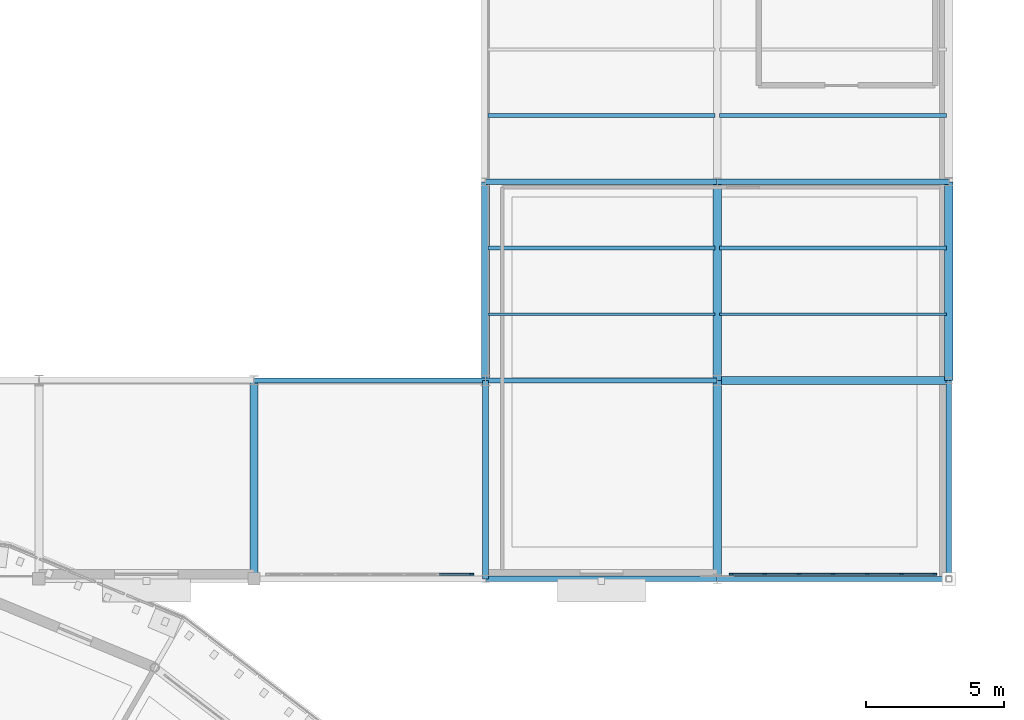
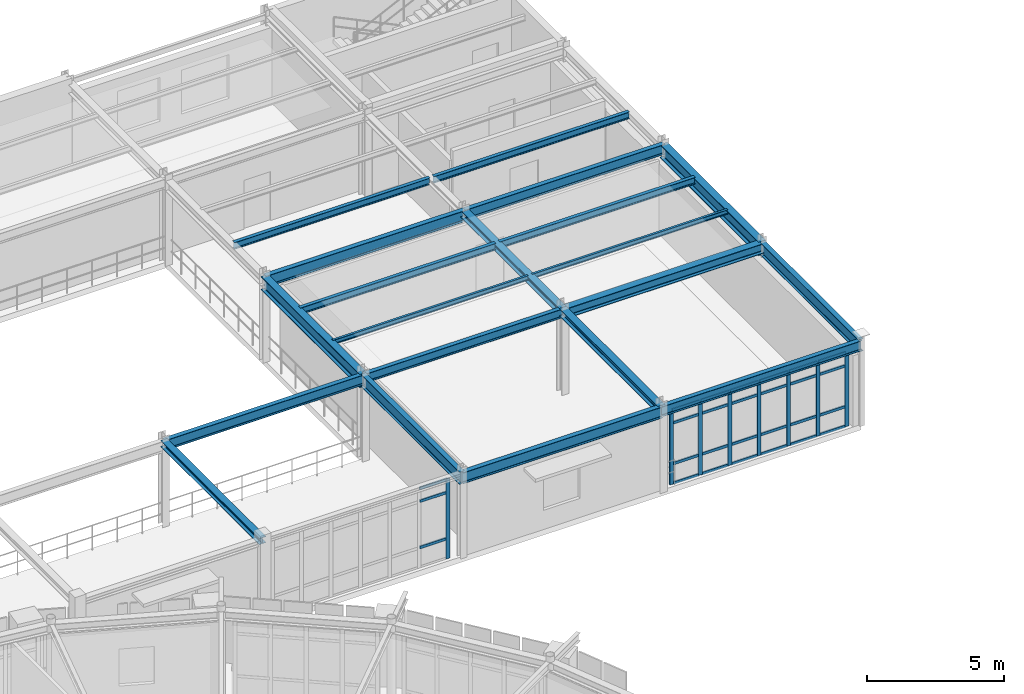
# One storey, part 38 of 70: 35 members, 20 beams, 2 elements without a shape of their own.
"""IFC4 building model written with IfcOpenShell, lengths in metres."""

from ifc_helpers import new_model, si_unit, derived_unit, direction, frame, origin, origin_2d, place, context, subcontext, project, spatial, rectangle, i_section, extrude, material, layer, layer_set, material_profile, profile_set, type_object, element, aggregate, save


model = new_model("IFC4")

# Units and contexts
model_context = context("Model", 3, precision=1e-05, world=origin(), true_north=direction((0.0, 1.0)))
body_context = subcontext(model_context, "Body", "Model", "MODEL_VIEW")
ifc_project = project(units=[si_unit("LENGTHUNIT", "METRE"), si_unit("AREAUNIT", "SQUARE_METRE"), si_unit("VOLUMEUNIT", "CUBIC_METRE"), si_unit("PLANEANGLEUNIT", "RADIAN"), si_unit("MASSUNIT", "GRAM", prefix="KILO"), derived_unit("THERMALTRANSMITTANCEUNIT", [(si_unit("POWERUNIT", "WATT"), 1), (si_unit("AREAUNIT", "SQUARE_METRE"), -1), (si_unit("THERMODYNAMICTEMPERATUREUNIT", "KELVIN"), -1)])], contexts=[model_context])

# Site, building, storey
site_placement = place(None, origin())
site = spatial("IfcSite", under=ifc_project, at=site_placement, CompositionType="ELEMENT")
building_placement = place(site_placement, origin())
building = spatial("IfcBuilding", under=site, at=building_placement, Name="Yasenodar Specialist Clinic", CompositionType="ELEMENT")
storey_placement = place(building_placement, frame((0.0, 0.0, 13.199951171875)))
storey = spatial("IfcBuildingStorey", under=building, at=storey_placement, Name="L03", CompositionType="ELEMENT", Elevation=13.199951171875)

# Beams
ifc_material_1 = material(Name="Steel S355", Category="steel")
ifc_material_profile_1 = material_profile(ifc_material_1, i_section(OverallWidth=0.300048828125, OverallDepth=0.43994140625, WebThickness=0.011474609375, FlangeThickness=0.02099609375, FilletRadius=0.027099609375, at=origin_2d()), Name="HEA 450")
ifc_profile_set_1 = profile_set([ifc_material_profile_1], Name="Steel S355")
beam_type_1 = type_object("IfcBeamType", Name="BM-HEA450", PredefinedType="BEAM", material=ifc_profile_set_1)
beam_1_placement = place(storey_placement, frame((113.39990234375, 90.0, 3.570068359375), z_axis=(1.0, 0.0, 0.0), x_axis=(0.0, 1.0, 0.0)))
element("IfcBeam", 1, at=beam_1_placement, inside=storey, type_object=beam_type_1, Name="L03 Primary E-W Girder", PredefinedType="BEAM", context=body_context, shape_type="SweptSolid", body=[
    extrude(i_section(OverallWidth=0.300048828125, OverallDepth=0.43994140625, WebThickness=0.011474609375, FlangeThickness=0.02099609375, FilletRadius=0.027099609375, at=origin_2d()), origin(), (0.0, 0.0, 1.0), 8.400146484375),
])
ifc_material_profile_2 = material_profile(ifc_material_1, i_section(OverallWidth=0.280029296875, OverallDepth=0.280029296875, WebThickness=0.010498046875, FlangeThickness=0.01806640625, FilletRadius=0.02392578125, at=origin_2d()), Name="HEB 280")
ifc_profile_set_2 = profile_set([ifc_material_profile_2], Name="Steel S355")
beam_type_2 = type_object("IfcBeamType", Name="BM-HEB280", PredefinedType="BEAM", material=ifc_profile_set_2)
beam_2_placement = place(storey_placement, frame((96.60009765625, 82.800048828125, 3.650146484375), z_axis=(0.0, 1.0, 0.0), x_axis=(-1.0, 0.0, 0.0)))
element("IfcBeam", 2, at=beam_2_placement, inside=storey, type_object=beam_type_2, Name="L03 Primary N-S Girder", PredefinedType="BEAM", context=body_context, shape_type="SweptSolid", body=[
    extrude(i_section(OverallWidth=0.280029296875, OverallDepth=0.280029296875, WebThickness=0.010498046875, FlangeThickness=0.01806640625, FilletRadius=0.02392578125, at=origin_2d()), origin(), (0.0, 0.0, 1.0), 7.199951171875),
])
ifc_material_profile_3 = material_profile(ifc_material_1, i_section(OverallWidth=0.300048828125, OverallDepth=0.300048828125, WebThickness=0.010986328125, FlangeThickness=0.01904296875, FilletRadius=0.027099609375, at=origin_2d()), Name="HEB 300")
ifc_profile_set_3 = profile_set([ifc_material_profile_3], Name="Steel S355")
beam_type_3 = type_object("IfcBeamType", Name="BM-HEB300", PredefinedType="BEAM", material=ifc_profile_set_3)
beam_3_placement = place(storey_placement, frame((113.39990234375, 90.0, 3.64013671875), z_axis=(0.0, 1.0, 0.0), x_axis=(-1.0, 0.0, 0.0)))
element("IfcBeam", 3, at=beam_3_placement, inside=storey, type_object=beam_type_3, Name="L03 Primary N-S Girder", PredefinedType="BEAM", context=body_context, shape_type="SweptSolid", body=[
    extrude(i_section(OverallWidth=0.300048828125, OverallDepth=0.300048828125, WebThickness=0.010986328125, FlangeThickness=0.01904296875, FilletRadius=0.027099609375, at=origin_2d()), origin(), (0.0, 0.0, 1.0), 7.199951171875),
])
ifc_material_profile_4 = material_profile(ifc_material_1, i_section(OverallWidth=0.300048828125, OverallDepth=0.340087890625, WebThickness=0.011962890625, FlangeThickness=0.021484375, FilletRadius=0.027099609375, at=origin_2d()), Name="HEB 340")
ifc_profile_set_4 = profile_set([ifc_material_profile_4], Name="Steel S355")
beam_type_4 = type_object("IfcBeamType", Name="BM-HEB340", PredefinedType="BEAM", material=ifc_profile_set_4)
beam_4_placement = place(storey_placement, frame((113.39990234375, 82.800048828125, 3.6201171875), z_axis=(0.0, 1.0, 0.0), x_axis=(-1.0, 0.0, 0.0)))
element("IfcBeam", 4, at=beam_4_placement, inside=storey, type_object=beam_type_4, Name="L03 Primary N-S Girder", PredefinedType="BEAM", context=body_context, shape_type="SweptSolid", body=[
    extrude(i_section(OverallWidth=0.300048828125, OverallDepth=0.340087890625, WebThickness=0.011962890625, FlangeThickness=0.021484375, FilletRadius=0.027099609375, at=origin_2d()), origin(), (0.0, 0.0, 1.0), 7.199951171875),
])
ifc_material_profile_5 = material_profile(ifc_material_1, i_section(OverallWidth=0.300048828125, OverallDepth=0.60009765625, WebThickness=0.015380859375, FlangeThickness=0.030029296875, FilletRadius=0.027099609375, at=origin_2d()), Name="HEB 600")
ifc_profile_set_5 = profile_set([ifc_material_profile_5], Name="Steel S355")
beam_type_5 = type_object("IfcBeamType", Name="BM-HEB600", PredefinedType="BEAM", material=ifc_profile_set_5)
for number, where, z_axis, x_axis, name in (
    (5, (105.0, 90.0, 3.489990234375), (0.0, 1.0, 0.0), (-1.0, 0.0, 0.0), "L03 Primary N-S Girder"),
    (6, (121.800048828125, 90.0, 3.489990234375), (0.0, 1.0, 0.0), (-1.0, 0.0, 0.0), "L03 Primary N-S Girder"),
):
    element("IfcBeam", number, at=place(storey_placement, frame(where, z_axis=z_axis, x_axis=x_axis)), inside=storey, type_object=beam_type_5, Name=name, PredefinedType="BEAM", context=body_context, shape_type="SweptSolid", body=[
        extrude(i_section(OverallWidth=0.300048828125, OverallDepth=0.60009765625, WebThickness=0.015380859375, FlangeThickness=0.030029296875, FilletRadius=0.027099609375, at=origin_2d()), origin(), (0.0, 0.0, 1.0), 7.199951171875),
    ])
ifc_material_profile_6 = material_profile(ifc_material_1, i_section(OverallWidth=0.179931640625, OverallDepth=0.39990234375, WebThickness=0.008544921875, FlangeThickness=0.013427734375, FilletRadius=0.02099609375, at=origin_2d()), Name="IPE 400")
ifc_profile_set_6 = profile_set([ifc_material_profile_6], Name="Steel S355")
beam_type_6 = type_object("IfcBeamType", Name="BM-IPE400", PredefinedType="BEAM", material=ifc_profile_set_6)
beam_5_placement = place(storey_placement, frame((105.0, 90.0, 3.590087890625), z_axis=(1.0, 0.0, 0.0), x_axis=(0.0, 1.0, 0.0)))
element("IfcBeam", 7, at=beam_5_placement, inside=storey, type_object=beam_type_6, Name="L03 Primary E-W Girder", PredefinedType="BEAM", context=body_context, shape_type="SweptSolid", body=[
    extrude(i_section(OverallWidth=0.179931640625, OverallDepth=0.39990234375, WebThickness=0.008544921875, FlangeThickness=0.013427734375, FilletRadius=0.02099609375, at=origin_2d()), origin(), (0.0, 0.0, 1.0), 8.39990234375),
])
ifc_material_profile_7 = material_profile(ifc_material_1, i_section(OverallWidth=0.18994140625, OverallDepth=0.449951171875, WebThickness=0.009521484375, FlangeThickness=0.0146484375, FilletRadius=0.02099609375, at=origin_2d()), Name="IPE 450")
ifc_profile_set_7 = profile_set([ifc_material_profile_7], Name="Steel S355")
beam_type_7 = type_object("IfcBeamType", Name="BM-IPE450", PredefinedType="BEAM", material=ifc_profile_set_7)
beam_6_placement = place(storey_placement, frame((113.39990234375, 82.800048828125, 3.56494140625), z_axis=(1.0, 0.0, 0.0), x_axis=(0.0, 1.0, 0.0)))
element("IfcBeam", 8, at=beam_6_placement, inside=storey, type_object=beam_type_7, Name="L03 Primary E-W Girder", PredefinedType="BEAM", context=body_context, shape_type="SweptSolid", body=[
    extrude(i_section(OverallWidth=0.18994140625, OverallDepth=0.449951171875, WebThickness=0.009521484375, FlangeThickness=0.0146484375, FilletRadius=0.02099609375, at=origin_2d()), origin(), (0.0, 0.0, 1.0), 8.400146484375),
])
beam_7_placement = place(storey_placement, frame((96.60009765625, 90.0, 3.56494140625), z_axis=(1.0, 0.0, 0.0), x_axis=(0.0, 1.0, 0.0)))
element("IfcBeam", 9, at=beam_7_placement, inside=storey, type_object=beam_type_7, Name="L03 Primary E-W Girder", PredefinedType="BEAM", context=body_context, shape_type="SweptSolid", body=[
    extrude(i_section(OverallWidth=0.18994140625, OverallDepth=0.449951171875, WebThickness=0.009521484375, FlangeThickness=0.0146484375, FilletRadius=0.02099609375, at=origin_2d()), origin(), (0.0, 0.0, 1.0), 8.39990234375),
])
beam_8_placement = place(storey_placement, frame((113.39990234375, 97.199951171875, 3.574951171875), z_axis=(1.0, 0.0, 0.0), x_axis=(0.0, 1.0, 0.0)))
element("IfcBeam", 10, at=beam_8_placement, inside=storey, type_object=beam_type_7, Name="L03 Primary E-W Girder", PredefinedType="BEAM", context=body_context, shape_type="SweptSolid", body=[
    extrude(i_section(OverallWidth=0.18994140625, OverallDepth=0.449951171875, WebThickness=0.009521484375, FlangeThickness=0.0146484375, FilletRadius=0.02099609375, at=origin_2d()), origin(), (0.0, 0.0, 1.0), 8.400146484375),
])
ifc_material_profile_8 = material_profile(ifc_material_1, i_section(OverallWidth=0.199951171875, OverallDepth=0.5, WebThickness=0.01025390625, FlangeThickness=0.01611328125, FilletRadius=0.02099609375, at=origin_2d()), Name="IPE 500")
ifc_profile_set_8 = profile_set([ifc_material_profile_8], Name="Steel S355")
beam_type_8 = type_object("IfcBeamType", Name="BM-IPE500", PredefinedType="BEAM", material=ifc_profile_set_8)
for number, where, z_axis, x_axis, name in (
    (11, (105.0, 82.800048828125, 3.5400390625), (1.0, 0.0, 0.0), (0.0, 1.0, 0.0), "L03 Primary E-W Girder"),
    (12, (105.0, 97.199951171875, 3.550048828125), (1.0, 0.0, 0.0), (0.0, 1.0, 0.0), "L03 Primary E-W Girder"),
):
    element("IfcBeam", number, at=place(storey_placement, frame(where, z_axis=z_axis, x_axis=x_axis)), inside=storey, type_object=beam_type_8, Name=name, PredefinedType="BEAM", context=body_context, shape_type="SweptSolid", body=[
        extrude(i_section(OverallWidth=0.199951171875, OverallDepth=0.5, WebThickness=0.01025390625, FlangeThickness=0.01611328125, FilletRadius=0.02099609375, at=origin_2d()), origin(), (0.0, 0.0, 1.0), 8.39990234375),
    ])
ifc_material_profile_9 = material_profile(ifc_material_1, i_section(OverallWidth=0.2099609375, OverallDepth=0.550048828125, WebThickness=0.010986328125, FlangeThickness=0.01708984375, FilletRadius=0.02392578125, at=origin_2d()), Name="IPE 550")
ifc_profile_set_9 = profile_set([ifc_material_profile_9], Name="Steel S355")
beam_type_9 = type_object("IfcBeamType", Name="BM-IPE550", PredefinedType="BEAM", material=ifc_profile_set_9)
for number, where, z_axis, x_axis, name in (
    (13, (105.0, 82.800048828125, 3.51513671875), (0.0, 1.0, 0.0), (-1.0, 0.0, 0.0), "L03 Primary N-S Girder"),
    (14, (121.800048828125, 82.800048828125, 3.51513671875), (0.0, 1.0, 0.0), (-1.0, 0.0, 0.0), "L03 Primary N-S Girder"),
):
    element("IfcBeam", number, at=place(storey_placement, frame(where, z_axis=z_axis, x_axis=x_axis)), inside=storey, type_object=beam_type_9, Name=name, PredefinedType="BEAM", context=body_context, shape_type="SweptSolid", body=[
        extrude(i_section(OverallWidth=0.2099609375, OverallDepth=0.550048828125, WebThickness=0.010986328125, FlangeThickness=0.01708984375, FilletRadius=0.02392578125, at=origin_2d()), origin(), (0.0, 0.0, 1.0), 7.199951171875),
    ])

# Curtain wall, members
ifc_material_2 = material(Name="Bronze Anodized Aluminium and Triple Low-E Glass", Category="aluminium")
ifc_layer = layer(ifc_material_2, 0.215087890625)
ifc_layer_set = layer_set([ifc_layer], Name="Bronze Anodized Aluminium and Triple Low-E Glass")
curtain_wall_type = type_object("IfcCurtainWallType", Name="CW-SYS-05", PredefinedType="USERDEFINED", material=ifc_layer_set)
curtain_wall_1_placement = place(storey_placement, origin())
curtain_wall_1 = element("IfcCurtainWall", 15, at=curtain_wall_1_placement, inside=storey, type_object=curtain_wall_type, Name="L03 Unitised Curtain Wall 158", ObjectType="UNITISED CURTAIN WALL", PredefinedType="USERDEFINED")
ifc_material_3 = material(Name="Bronze Anodized Aluminium", Category="aluminium")
ifc_material_profile_10 = material_profile(ifc_material_3, rectangle(XDim=0.06005859375, YDim=0.159912109375, at=origin_2d()), Name="CW-MULL 60x160")
ifc_profile_set_10 = profile_set([ifc_material_profile_10], Name="Bronze Anodized Aluminium")
member_type_1 = type_object("IfcMemberType", Name="CW-MULL-160", PredefinedType="MULLION", material=ifc_profile_set_10)
member_1_placement = place(storey_placement, frame((121.2900390625, 82.969970703125, 0.0), z_axis=(0.0, 0.0, 1.0), x_axis=(0.0, -1.0, 0.0)))
member_1 = element("IfcMember", 16, at=member_1_placement, type_object=member_type_1, Name="CW-05 mullion 1", PredefinedType="MULLION", context=body_context, shape_type="SweptSolid", body=[
    extrude(rectangle(XDim=0.06005859375, YDim=0.159912109375, at=origin_2d()), origin(), (0.0, 0.0, 1.0), 3.318115234375),
])
member_2_placement = place(storey_placement, frame((120.080078125, 82.969970703125, 0.0), z_axis=(0.0, 0.0, 1.0), x_axis=(0.0, -1.0, 0.0)))
member_2 = element("IfcMember", 17, at=member_2_placement, type_object=member_type_1, Name="CW-05 mullion 2", PredefinedType="MULLION", context=body_context, shape_type="SweptSolid", body=[
    extrude(rectangle(XDim=0.06005859375, YDim=0.159912109375, at=origin_2d()), origin(), (0.0, 0.0, 1.0), 3.318115234375),
])
member_3_placement = place(storey_placement, frame((118.840087890625, 82.969970703125, 0.0), z_axis=(0.0, 0.0, 1.0), x_axis=(0.0, -1.0, 0.0)))
member_3 = element("IfcMember", 18, at=member_3_placement, type_object=member_type_1, Name="CW-05 mullion 3", PredefinedType="MULLION", context=body_context, shape_type="SweptSolid", body=[
    extrude(rectangle(XDim=0.06005859375, YDim=0.159912109375, at=origin_2d()), origin(), (0.0, 0.0, 1.0), 3.318115234375),
])
member_4_placement = place(storey_placement, frame((117.60009765625, 82.969970703125, 0.0), z_axis=(0.0, 0.0, 1.0), x_axis=(0.0, -1.0, 0.0)))
member_4 = element("IfcMember", 19, at=member_4_placement, type_object=member_type_1, Name="CW-05 mullion 4", PredefinedType="MULLION", context=body_context, shape_type="SweptSolid", body=[
    extrude(rectangle(XDim=0.06005859375, YDim=0.159912109375, at=origin_2d()), origin(), (0.0, 0.0, 1.0), 3.318115234375),
])
member_5_placement = place(storey_placement, frame((116.360107421875, 82.969970703125, 0.0), z_axis=(0.0, 0.0, 1.0), x_axis=(0.0, -1.0, 0.0)))
member_5 = element("IfcMember", 20, at=member_5_placement, type_object=member_type_1, Name="CW-05 mullion 5", PredefinedType="MULLION", context=body_context, shape_type="SweptSolid", body=[
    extrude(rectangle(XDim=0.06005859375, YDim=0.159912109375, at=origin_2d()), origin(), (0.0, 0.0, 1.0), 3.318115234375),
])
member_6_placement = place(storey_placement, frame((115.1201171875, 82.969970703125, 0.0), z_axis=(0.0, 0.0, 1.0), x_axis=(0.0, -1.0, 0.0)))
member_6 = element("IfcMember", 21, at=member_6_placement, type_object=member_type_1, Name="CW-05 mullion 6", PredefinedType="MULLION", context=body_context, shape_type="SweptSolid", body=[
    extrude(rectangle(XDim=0.06005859375, YDim=0.159912109375, at=origin_2d()), origin(), (0.0, 0.0, 1.0), 3.318115234375),
])
member_7_placement = place(storey_placement, frame((113.909912109375, 82.969970703125, 0.0), z_axis=(0.0, 0.0, 1.0), x_axis=(0.0, -1.0, 0.0)))
member_7 = element("IfcMember", 22, at=member_7_placement, type_object=member_type_1, Name="CW-05 mullion 7", PredefinedType="MULLION", context=body_context, shape_type="SweptSolid", body=[
    extrude(rectangle(XDim=0.06005859375, YDim=0.159912109375, at=origin_2d()), origin(), (0.0, 0.0, 1.0), 3.318115234375),
])

# Curtain wall, member
curtain_wall_2_placement = place(storey_placement, origin())
curtain_wall_2 = element("IfcCurtainWall", 23, at=curtain_wall_2_placement, inside=storey, type_object=curtain_wall_type, Name="L03 Unitised Curtain Wall 159", ObjectType="UNITISED CURTAIN WALL", PredefinedType="USERDEFINED")
member_8_placement = place(storey_placement, frame((104.489990234375, 82.969970703125, 0.0), z_axis=(0.0, 0.0, 1.0), x_axis=(0.0, -1.0, 0.0)))
member_8 = element("IfcMember", 24, at=member_8_placement, type_object=member_type_1, Name="CW-05 mullion 1", PredefinedType="MULLION", context=body_context, shape_type="SweptSolid", body=[
    extrude(rectangle(XDim=0.06005859375, YDim=0.159912109375, at=origin_2d()), origin(), (0.0, 0.0, 1.0), 3.55810546875),
])

# Member
ifc_material_profile_11 = material_profile(ifc_material_3, rectangle(XDim=0.06005859375, YDim=0.1201171875, at=origin_2d()), Name="CW-TRAN 60x120")
ifc_profile_set_11 = profile_set([ifc_material_profile_11], Name="Bronze Anodized Aluminium")
member_type_2 = type_object("IfcMemberType", Name="CW-TRAN-120", PredefinedType="USERDEFINED", material=ifc_profile_set_11)
member_9_placement = place(storey_placement, frame((121.260009765625, 82.969970703125, 0.030029296875), z_axis=(-1.0, 0.0, 0.0), x_axis=(0.0, -1.0, 0.0)))
member_9 = element("IfcMember", 25, at=member_9_placement, type_object=member_type_2, Name="CW-05 transom 1.1", ObjectType="TRANSOM", PredefinedType="USERDEFINED", context=body_context, shape_type="SweptSolid", body=[
    extrude(rectangle(XDim=0.06005859375, YDim=0.1201171875, at=origin_2d()), origin(), (0.0, 0.0, 1.0), 1.14990234375),
])

member_10_placement = place(storey_placement, frame((121.260009765625, 82.969970703125, 0.900146484375), z_axis=(-1.0, 0.0, 0.0), x_axis=(0.0, -1.0, 0.0)))
member_10 = element("IfcMember", 26, at=member_10_placement, type_object=member_type_2, Name="CW-05 transom 1.2", ObjectType="TRANSOM", PredefinedType="USERDEFINED", context=body_context, shape_type="SweptSolid", body=[
    extrude(rectangle(XDim=0.06005859375, YDim=0.1201171875, at=origin_2d()), origin(), (0.0, 0.0, 1.0), 1.14990234375),
])

member_11_placement = place(storey_placement, frame((121.260009765625, 82.969970703125, 2.718017578125), z_axis=(-1.0, 0.0, 0.0), x_axis=(0.0, -1.0, 0.0)))
member_11 = element("IfcMember", 27, at=member_11_placement, type_object=member_type_2, Name="CW-05 transom 1.3", ObjectType="TRANSOM", PredefinedType="USERDEFINED", context=body_context, shape_type="SweptSolid", body=[
    extrude(rectangle(XDim=0.06005859375, YDim=0.1201171875, at=origin_2d()), origin(), (0.0, 0.0, 1.0), 1.14990234375),
])

member_12_placement = place(storey_placement, frame((121.260009765625, 82.969970703125, 3.2880859375), z_axis=(-1.0, 0.0, 0.0), x_axis=(0.0, -1.0, 0.0)))
member_12 = element("IfcMember", 28, at=member_12_placement, type_object=member_type_2, Name="CW-05 transom 1.4", ObjectType="TRANSOM", PredefinedType="USERDEFINED", context=body_context, shape_type="SweptSolid", body=[
    extrude(rectangle(XDim=0.06005859375, YDim=0.1201171875, at=origin_2d()), origin(), (0.0, 0.0, 1.0), 1.14990234375),
])

member_13_placement = place(storey_placement, frame((120.050048828125, 82.969970703125, 0.030029296875), z_axis=(-1.0, 0.0, 0.0), x_axis=(0.0, -1.0, 0.0)))
member_13 = element("IfcMember", 29, at=member_13_placement, type_object=member_type_2, Name="CW-05 transom 2.1", ObjectType="TRANSOM", PredefinedType="USERDEFINED", context=body_context, shape_type="SweptSolid", body=[
    extrude(rectangle(XDim=0.06005859375, YDim=0.1201171875, at=origin_2d()), origin(), (0.0, 0.0, 1.0), 1.179931640625),
])

member_14_placement = place(storey_placement, frame((120.050048828125, 82.969970703125, 0.900146484375), z_axis=(-1.0, 0.0, 0.0), x_axis=(0.0, -1.0, 0.0)))
member_14 = element("IfcMember", 30, at=member_14_placement, type_object=member_type_2, Name="CW-05 transom 2.2", ObjectType="TRANSOM", PredefinedType="USERDEFINED", context=body_context, shape_type="SweptSolid", body=[
    extrude(rectangle(XDim=0.06005859375, YDim=0.1201171875, at=origin_2d()), origin(), (0.0, 0.0, 1.0), 1.179931640625),
])

member_15_placement = place(storey_placement, frame((120.050048828125, 82.969970703125, 2.718017578125), z_axis=(-1.0, 0.0, 0.0), x_axis=(0.0, -1.0, 0.0)))
member_15 = element("IfcMember", 31, at=member_15_placement, type_object=member_type_2, Name="CW-05 transom 2.3", ObjectType="TRANSOM", PredefinedType="USERDEFINED", context=body_context, shape_type="SweptSolid", body=[
    extrude(rectangle(XDim=0.06005859375, YDim=0.1201171875, at=origin_2d()), origin(), (0.0, 0.0, 1.0), 1.179931640625),
])

member_16_placement = place(storey_placement, frame((120.050048828125, 82.969970703125, 3.2880859375), z_axis=(-1.0, 0.0, 0.0), x_axis=(0.0, -1.0, 0.0)))
member_16 = element("IfcMember", 32, at=member_16_placement, type_object=member_type_2, Name="CW-05 transom 2.4", ObjectType="TRANSOM", PredefinedType="USERDEFINED", context=body_context, shape_type="SweptSolid", body=[
    extrude(rectangle(XDim=0.06005859375, YDim=0.1201171875, at=origin_2d()), origin(), (0.0, 0.0, 1.0), 1.179931640625),
])

member_17_placement = place(storey_placement, frame((118.81005859375, 82.969970703125, 0.030029296875), z_axis=(-1.0, 0.0, 0.0), x_axis=(0.0, -1.0, 0.0)))
member_17 = element("IfcMember", 33, at=member_17_placement, type_object=member_type_2, Name="CW-05 transom 3.1", ObjectType="TRANSOM", PredefinedType="USERDEFINED", context=body_context, shape_type="SweptSolid", body=[
    extrude(rectangle(XDim=0.06005859375, YDim=0.1201171875, at=origin_2d()), origin(), (0.0, 0.0, 1.0), 1.18017578125),
])

member_18_placement = place(storey_placement, frame((118.81005859375, 82.969970703125, 0.900146484375), z_axis=(-1.0, 0.0, 0.0), x_axis=(0.0, -1.0, 0.0)))
member_18 = element("IfcMember", 34, at=member_18_placement, type_object=member_type_2, Name="CW-05 transom 3.2", ObjectType="TRANSOM", PredefinedType="USERDEFINED", context=body_context, shape_type="SweptSolid", body=[
    extrude(rectangle(XDim=0.06005859375, YDim=0.1201171875, at=origin_2d()), origin(), (0.0, 0.0, 1.0), 1.18017578125),
])

member_19_placement = place(storey_placement, frame((118.81005859375, 82.969970703125, 2.718017578125), z_axis=(-1.0, 0.0, 0.0), x_axis=(0.0, -1.0, 0.0)))
member_19 = element("IfcMember", 35, at=member_19_placement, type_object=member_type_2, Name="CW-05 transom 3.3", ObjectType="TRANSOM", PredefinedType="USERDEFINED", context=body_context, shape_type="SweptSolid", body=[
    extrude(rectangle(XDim=0.06005859375, YDim=0.1201171875, at=origin_2d()), origin(), (0.0, 0.0, 1.0), 1.18017578125),
])

member_20_placement = place(storey_placement, frame((118.81005859375, 82.969970703125, 3.2880859375), z_axis=(-1.0, 0.0, 0.0), x_axis=(0.0, -1.0, 0.0)))
member_20 = element("IfcMember", 36, at=member_20_placement, type_object=member_type_2, Name="CW-05 transom 3.4", ObjectType="TRANSOM", PredefinedType="USERDEFINED", context=body_context, shape_type="SweptSolid", body=[
    extrude(rectangle(XDim=0.06005859375, YDim=0.1201171875, at=origin_2d()), origin(), (0.0, 0.0, 1.0), 1.18017578125),
])

member_21_placement = place(storey_placement, frame((117.570068359375, 82.969970703125, 0.030029296875), z_axis=(-1.0, 0.0, 0.0), x_axis=(0.0, -1.0, 0.0)))
member_21 = element("IfcMember", 37, at=member_21_placement, type_object=member_type_2, Name="CW-05 transom 4.1", ObjectType="TRANSOM", PredefinedType="USERDEFINED", context=body_context, shape_type="SweptSolid", body=[
    extrude(rectangle(XDim=0.06005859375, YDim=0.1201171875, at=origin_2d()), origin(), (0.0, 0.0, 1.0), 1.18017578125),
])

member_22_placement = place(storey_placement, frame((117.570068359375, 82.969970703125, 0.900146484375), z_axis=(-1.0, 0.0, 0.0), x_axis=(0.0, -1.0, 0.0)))
member_22 = element("IfcMember", 38, at=member_22_placement, type_object=member_type_2, Name="CW-05 transom 4.2", ObjectType="TRANSOM", PredefinedType="USERDEFINED", context=body_context, shape_type="SweptSolid", body=[
    extrude(rectangle(XDim=0.06005859375, YDim=0.1201171875, at=origin_2d()), origin(), (0.0, 0.0, 1.0), 1.18017578125),
])

member_23_placement = place(storey_placement, frame((117.570068359375, 82.969970703125, 2.718017578125), z_axis=(-1.0, 0.0, 0.0), x_axis=(0.0, -1.0, 0.0)))
member_23 = element("IfcMember", 39, at=member_23_placement, type_object=member_type_2, Name="CW-05 transom 4.3", ObjectType="TRANSOM", PredefinedType="USERDEFINED", context=body_context, shape_type="SweptSolid", body=[
    extrude(rectangle(XDim=0.06005859375, YDim=0.1201171875, at=origin_2d()), origin(), (0.0, 0.0, 1.0), 1.18017578125),
])

member_24_placement = place(storey_placement, frame((117.570068359375, 82.969970703125, 3.2880859375), z_axis=(-1.0, 0.0, 0.0), x_axis=(0.0, -1.0, 0.0)))
member_24 = element("IfcMember", 40, at=member_24_placement, type_object=member_type_2, Name="CW-05 transom 4.4", ObjectType="TRANSOM", PredefinedType="USERDEFINED", context=body_context, shape_type="SweptSolid", body=[
    extrude(rectangle(XDim=0.06005859375, YDim=0.1201171875, at=origin_2d()), origin(), (0.0, 0.0, 1.0), 1.18017578125),
])

member_25_placement = place(storey_placement, frame((116.330078125, 82.969970703125, 0.030029296875), z_axis=(-1.0, 0.0, 0.0), x_axis=(0.0, -1.0, 0.0)))
member_25 = element("IfcMember", 41, at=member_25_placement, type_object=member_type_2, Name="CW-05 transom 5.1", ObjectType="TRANSOM", PredefinedType="USERDEFINED", context=body_context, shape_type="SweptSolid", body=[
    extrude(rectangle(XDim=0.06005859375, YDim=0.1201171875, at=origin_2d()), origin(), (0.0, 0.0, 1.0), 1.18017578125),
])

member_26_placement = place(storey_placement, frame((116.330078125, 82.969970703125, 0.900146484375), z_axis=(-1.0, 0.0, 0.0), x_axis=(0.0, -1.0, 0.0)))
member_26 = element("IfcMember", 42, at=member_26_placement, type_object=member_type_2, Name="CW-05 transom 5.2", ObjectType="TRANSOM", PredefinedType="USERDEFINED", context=body_context, shape_type="SweptSolid", body=[
    extrude(rectangle(XDim=0.06005859375, YDim=0.1201171875, at=origin_2d()), origin(), (0.0, 0.0, 1.0), 1.18017578125),
])

member_27_placement = place(storey_placement, frame((116.330078125, 82.969970703125, 2.718017578125), z_axis=(-1.0, 0.0, 0.0), x_axis=(0.0, -1.0, 0.0)))
member_27 = element("IfcMember", 43, at=member_27_placement, type_object=member_type_2, Name="CW-05 transom 5.3", ObjectType="TRANSOM", PredefinedType="USERDEFINED", context=body_context, shape_type="SweptSolid", body=[
    extrude(rectangle(XDim=0.06005859375, YDim=0.1201171875, at=origin_2d()), origin(), (0.0, 0.0, 1.0), 1.18017578125),
])

member_28_placement = place(storey_placement, frame((116.330078125, 82.969970703125, 3.2880859375), z_axis=(-1.0, 0.0, 0.0), x_axis=(0.0, -1.0, 0.0)))
member_28 = element("IfcMember", 44, at=member_28_placement, type_object=member_type_2, Name="CW-05 transom 5.4", ObjectType="TRANSOM", PredefinedType="USERDEFINED", context=body_context, shape_type="SweptSolid", body=[
    extrude(rectangle(XDim=0.06005859375, YDim=0.1201171875, at=origin_2d()), origin(), (0.0, 0.0, 1.0), 1.18017578125),
])

member_29_placement = place(storey_placement, frame((115.090087890625, 82.969970703125, 0.030029296875), z_axis=(-1.0, 0.0, 0.0), x_axis=(0.0, -1.0, 0.0)))
member_29 = element("IfcMember", 45, at=member_29_placement, type_object=member_type_2, Name="CW-05 transom 6.1", ObjectType="TRANSOM", PredefinedType="USERDEFINED", context=body_context, shape_type="SweptSolid", body=[
    extrude(rectangle(XDim=0.06005859375, YDim=0.1201171875, at=origin_2d()), origin(), (0.0, 0.0, 1.0), 1.150146484375),
])

member_30_placement = place(storey_placement, frame((115.090087890625, 82.969970703125, 0.900146484375), z_axis=(-1.0, 0.0, 0.0), x_axis=(0.0, -1.0, 0.0)))
member_30 = element("IfcMember", 46, at=member_30_placement, type_object=member_type_2, Name="CW-05 transom 6.2", ObjectType="TRANSOM", PredefinedType="USERDEFINED", context=body_context, shape_type="SweptSolid", body=[
    extrude(rectangle(XDim=0.06005859375, YDim=0.1201171875, at=origin_2d()), origin(), (0.0, 0.0, 1.0), 1.150146484375),
])

member_31_placement = place(storey_placement, frame((115.090087890625, 82.969970703125, 2.718017578125), z_axis=(-1.0, 0.0, 0.0), x_axis=(0.0, -1.0, 0.0)))
member_31 = element("IfcMember", 47, at=member_31_placement, type_object=member_type_2, Name="CW-05 transom 6.3", ObjectType="TRANSOM", PredefinedType="USERDEFINED", context=body_context, shape_type="SweptSolid", body=[
    extrude(rectangle(XDim=0.06005859375, YDim=0.1201171875, at=origin_2d()), origin(), (0.0, 0.0, 1.0), 1.150146484375),
])

member_32_placement = place(storey_placement, frame((115.090087890625, 82.969970703125, 3.2880859375), z_axis=(-1.0, 0.0, 0.0), x_axis=(0.0, -1.0, 0.0)))
member_32 = element("IfcMember", 48, at=member_32_placement, type_object=member_type_2, Name="CW-05 transom 6.4", ObjectType="TRANSOM", PredefinedType="USERDEFINED", context=body_context, shape_type="SweptSolid", body=[
    extrude(rectangle(XDim=0.06005859375, YDim=0.1201171875, at=origin_2d()), origin(), (0.0, 0.0, 1.0), 1.150146484375),
])

aggregate(curtain_wall_1, [member_1, member_2, member_3, member_4, member_5, member_6, member_7, member_9, member_10, member_11, member_12, member_13, member_14, member_15, member_16, member_17, member_18, member_19, member_20, member_21, member_22, member_23, member_24, member_25, member_26, member_27, member_28, member_29, member_30, member_31, member_32])

member_33_placement = place(storey_placement, frame((104.4599609375, 82.969970703125, 0.900146484375), z_axis=(-1.0, 0.0, 0.0), x_axis=(0.0, -1.0, 0.0)))
member_33 = element("IfcMember", 49, at=member_33_placement, type_object=member_type_2, Name="CW-05 transom 1.2", ObjectType="TRANSOM", PredefinedType="USERDEFINED", context=body_context, shape_type="SweptSolid", body=[
    extrude(rectangle(XDim=0.06005859375, YDim=0.1201171875, at=origin_2d()), origin(), (0.0, 0.0, 1.0), 1.14990234375),
])

member_34_placement = place(storey_placement, frame((104.4599609375, 82.969970703125, 2.9580078125), z_axis=(-1.0, 0.0, 0.0), x_axis=(0.0, -1.0, 0.0)))
member_34 = element("IfcMember", 50, at=member_34_placement, type_object=member_type_2, Name="CW-05 transom 1.3", ObjectType="TRANSOM", PredefinedType="USERDEFINED", context=body_context, shape_type="SweptSolid", body=[
    extrude(rectangle(XDim=0.06005859375, YDim=0.1201171875, at=origin_2d()), origin(), (0.0, 0.0, 1.0), 1.14990234375),
])

member_35_placement = place(storey_placement, frame((104.4599609375, 82.969970703125, 3.528076171875), z_axis=(-1.0, 0.0, 0.0), x_axis=(0.0, -1.0, 0.0)))
member_35 = element("IfcMember", 51, at=member_35_placement, type_object=member_type_2, Name="CW-05 transom 1.4", ObjectType="TRANSOM", PredefinedType="USERDEFINED", context=body_context, shape_type="SweptSolid", body=[
    extrude(rectangle(XDim=0.06005859375, YDim=0.1201171875, at=origin_2d()), origin(), (0.0, 0.0, 1.0), 1.14990234375),
])

aggregate(curtain_wall_2, [member_8, member_33, member_34, member_35])

# Beams
ifc_material_profile_12 = material_profile(ifc_material_1, i_section(OverallWidth=0.10009765625, OverallDepth=0.199951171875, WebThickness=0.005615234375, FlangeThickness=0.008544921875, FilletRadius=0.011962890625, at=origin_2d()), Name="IPE 200")
ifc_profile_set_12 = profile_set([ifc_material_profile_12], Name="Steel S355")
beam_type_10 = type_object("IfcBeamType", Name="JS-IPE200", PredefinedType="JOIST", material=ifc_profile_set_12)
for number, where, z_axis, x_axis, name in (
    (52, (105.080078125, 92.39990234375, 3.699951171875), (1.0, 0.0, 0.0), (0.0, 1.0, 0.0), "L03 Composite Floor Joist"),
    (53, (113.47998046875, 92.39990234375, 3.699951171875), (1.0, 0.0, 0.0), (0.0, 1.0, 0.0), "L03 Composite Floor Joist"),
):
    element("IfcBeam", number, at=place(storey_placement, frame(where, z_axis=z_axis, x_axis=x_axis)), inside=storey, type_object=beam_type_10, Name=name, PredefinedType="JOIST", context=body_context, shape_type="SweptSolid", body=[
        extrude(i_section(OverallWidth=0.10009765625, OverallDepth=0.199951171875, WebThickness=0.005615234375, FlangeThickness=0.008544921875, FilletRadius=0.011962890625, at=origin_2d()), origin(), (0.0, 0.0, 1.0), 8.239990234375),
    ])
ifc_material_profile_13 = material_profile(ifc_material_1, i_section(OverallWidth=0.14990234375, OverallDepth=0.300048828125, WebThickness=0.007080078125, FlangeThickness=0.0107421875, FilletRadius=0.014892578125, at=origin_2d()), Name="IPE 300")
ifc_profile_set_13 = profile_set([ifc_material_profile_13], Name="Steel S355")
beam_type_11 = type_object("IfcBeamType", Name="JS-IPE300", PredefinedType="JOIST", material=ifc_profile_set_13)
for number, where, z_axis, x_axis, name in (
    (54, (105.080078125, 94.800048828125, 3.650146484375), (1.0, 0.0, 0.0), (0.0, 1.0, 0.0), "L03 Composite Floor Joist"),
    (55, (105.080078125, 99.60009765625, 3.650146484375), (1.0, 0.0, 0.0), (0.0, 1.0, 0.0), "L03 Composite Floor Joist"),
    (56, (113.47998046875, 94.800048828125, 3.650146484375), (1.0, 0.0, 0.0), (0.0, 1.0, 0.0), "L03 Composite Floor Joist"),
    (57, (113.47998046875, 99.60009765625, 3.650146484375), (1.0, 0.0, 0.0), (0.0, 1.0, 0.0), "L03 Composite Floor Joist"),
):
    element("IfcBeam", number, at=place(storey_placement, frame(where, z_axis=z_axis, x_axis=x_axis)), inside=storey, type_object=beam_type_11, Name=name, PredefinedType="JOIST", context=body_context, shape_type="SweptSolid", body=[
        extrude(i_section(OverallWidth=0.14990234375, OverallDepth=0.300048828125, WebThickness=0.007080078125, FlangeThickness=0.0107421875, FilletRadius=0.014892578125, at=origin_2d()), origin(), (0.0, 0.0, 1.0), 8.239990234375),
    ])

save(model, "model.ifc")
